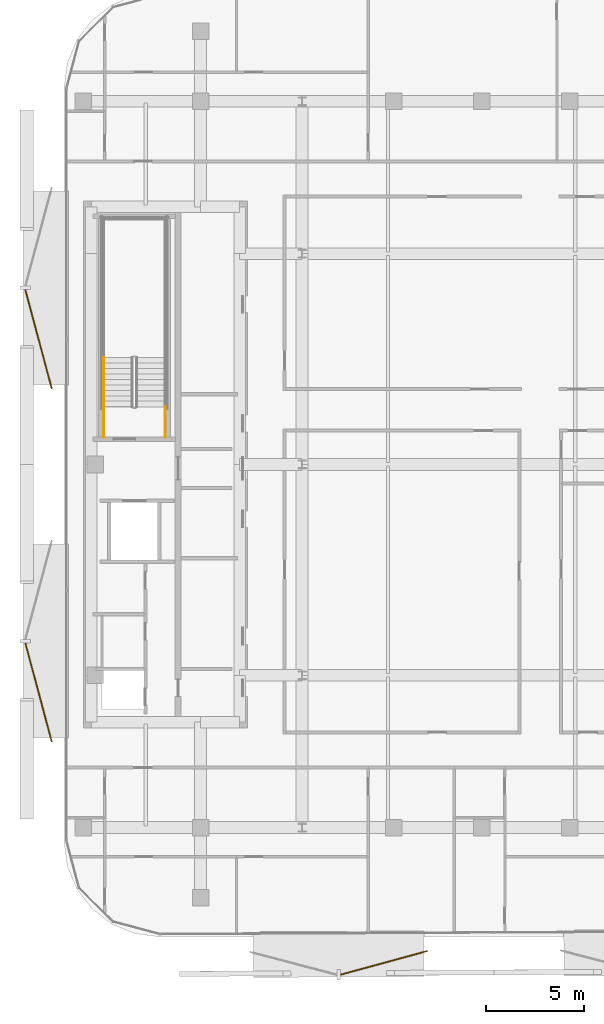
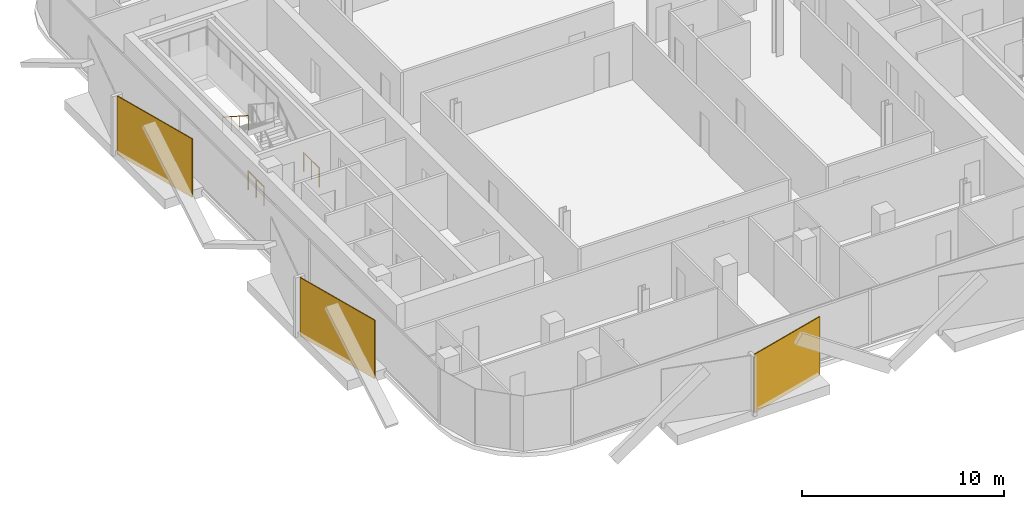
# One storey, part 12 of 15: 3 coverings, 3 railings.
"""IFC4 building model written with IfcOpenShell, lengths in metres."""

import ifcopenshell
import ifcopenshell.guid

model = None  # the IFC model being written
_history = None  # IfcOwnerHistory: only IFC2X3 demands one
_inside = {}  # id of a spatial element -> (the spatial element, [elements in it])
_under = {}  # id of a project, library or spatial element -> (it, [spatial elements below it])
_declared = {}  # id of a project -> (the project, [libraries it declares])
_typed = {}  # id of a type object -> (the type object, [elements of that type])
_made_of = {}  # id of a material, layer set ... -> (it, [elements and type objects made of it])


def new_model(schema):
    """Start an empty IFC model of exactly this schema.

    Asked for "IFC4X3", IfcOpenShell would pick the latest addendum, in which some entities
    have other attributes; the version numbers below select the first issue.
    IFC2X3 requires an IfcOwnerHistory on every rooted entity: one is made here for all.
    """
    global model, _history
    if schema == "IFC4X3":
        model = ifcopenshell.file(schema_version=(4, 3, 0, 0))
    else:
        model = ifcopenshell.file(schema=schema)
    _inside.clear()
    _under.clear()
    _declared.clear()
    _typed.clear()
    _made_of.clear()
    _history = None
    if model.schema == "IFC2X3":
        org = make("IfcOrganization", Name="unknown")
        user = make(
            "IfcPersonAndOrganization",
            ThePerson=make("IfcPerson", FamilyName="unknown"),
            TheOrganization=org,
        )
        app = make(
            "IfcApplication",
            ApplicationDeveloper=org,
            Version="unknown",
            ApplicationFullName="unknown",
            ApplicationIdentifier="unknown",
        )
        _history = make(
            "IfcOwnerHistory",
            OwningUser=user,
            OwningApplication=app,
            ChangeAction="ADDED",
            CreationDate=0,
        )
    return model


def make(cls, **values):
    """One entity of the class cls with the attributes given. An attribute that is None is left unset."""
    return model.create_entity(
        cls, **{name: value for name, value in values.items() if value is not None}
    )


def rooted(cls, **values):
    """An entity with a GlobalId (a new one), such as an element, a storey or a relation."""
    return make(cls, GlobalId=ifcopenshell.guid.new(), OwnerHistory=_history, **values)


def si_unit(unit_type, name, prefix=None):
    """IfcSIUnit, for example si_unit("LENGTHUNIT", "METRE", prefix="MILLI")."""
    return make("IfcSIUnit", UnitType=unit_type, Prefix=prefix, Name=name)


def assignment(units):
    """IfcUnitAssignment: the units of a project."""
    return None if units is None else make("IfcUnitAssignment", Units=units)


def point(xyz):
    """IfcCartesianPoint."""
    return None if xyz is None else make("IfcCartesianPoint", Coordinates=xyz)


def direction(xyz):
    """IfcDirection."""
    return None if xyz is None else make("IfcDirection", DirectionRatios=xyz)


def frame(location, z_axis=None, x_axis=None):
    """IfcAxis2Placement3D, a coordinate frame: its origin and axes. An axis left out is left unset."""
    return make(
        "IfcAxis2Placement3D",
        Location=point(location),
        Axis=direction(z_axis),
        RefDirection=direction(x_axis),
    )


def frame_2d(location, x_axis=None):
    """IfcAxis2Placement2D, a coordinate frame in the plane: its origin and x axis."""
    return make(
        "IfcAxis2Placement2D", Location=point(location), RefDirection=direction(x_axis)
    )


def origin():
    """The frame at (0, 0, 0) with its axes left unset."""
    return frame((0.0, 0.0, 0.0))


def origin_2d():
    """The frame at (0, 0) in the plane with its x axis left unset."""
    return frame_2d((0.0, 0.0))


def place(relative_to, where):
    """IfcLocalPlacement: puts the frame where relative to a parent placement (None: the world)."""
    return make(
        "IfcLocalPlacement", PlacementRelTo=relative_to, RelativePlacement=where
    )


def context(
    kind, dimensions, precision=None, world=None, true_north=None, identifier=None
):
    """IfcGeometricRepresentationContext, for example the 3D "Model" context."""
    return make(
        "IfcGeometricRepresentationContext",
        ContextIdentifier=identifier,
        ContextType=kind,
        CoordinateSpaceDimension=dimensions,
        Precision=precision,
        WorldCoordinateSystem=world,
        TrueNorth=true_north,
    )


def subcontext(parent, identifier, kind, view, scale=None):
    """IfcGeometricRepresentationSubContext, for example "Body" below "Model"."""
    return make(
        "IfcGeometricRepresentationSubContext",
        ContextIdentifier=identifier,
        ContextType=kind,
        ParentContext=parent,
        TargetScale=scale,
        TargetView=view,
    )


def project(units=None, contexts=None):
    """IfcProject with its units and contexts."""
    return rooted(
        "IfcProject",
        Name="project",
        RepresentationContexts=contexts,
        UnitsInContext=assignment(units),
    )


def spatial(cls, under=None, at=None, **own):
    """A site, building, storey or space (cls), placed at a placement, below another one or the project."""
    s = rooted(cls, ObjectPlacement=at, **own)
    if under is not None:
        _under.setdefault(under.id(), (under, []))[1].append(s)
    return s


def profile(cls, at=None, kind="AREA", **sizes):
    """A parametric profile (cls). Its sizes go by their IFC names, for example OverallWidth=200.0."""
    return make(cls, ProfileType=kind, Position=at, **sizes)


def rectangle(**sizes):
    """IfcRectangleProfileDef."""
    return profile("IfcRectangleProfileDef", **sizes)


def circle(**sizes):
    """IfcCircleProfileDef."""
    return profile("IfcCircleProfileDef", **sizes)


def extrude(swept, where, along, depth):
    """IfcExtrudedAreaSolid: the profile swept, set in the frame where, extruded along a direction by depth."""
    return make(
        "IfcExtrudedAreaSolid",
        SweptArea=swept,
        Position=where,
        ExtrudedDirection=direction(along),
        Depth=depth,
    )


def shape(context_of_items, identifier, shape_type, items):
    """IfcShapeRepresentation: the items that make up one representation, for example the "Body"."""
    return make(
        "IfcShapeRepresentation",
        ContextOfItems=context_of_items,
        RepresentationIdentifier=identifier,
        RepresentationType=shape_type,
        Items=items,
    )


def material(Name=None, Category=None):
    """IfcMaterial."""
    return make("IfcMaterial", Name=Name, Category=Category)


def layer(
    of_material, thickness, ventilated=None, Name=None, Category=None, Priority=None
):
    """IfcMaterialLayer: one layer of a wall or slab, of a material (None: an air gap)."""
    return make(
        "IfcMaterialLayer",
        Material=of_material,
        LayerThickness=thickness,
        IsVentilated=ventilated,
        Name=Name,
        Category=Category,
        Priority=Priority,
    )


def layer_set(layers, Name=None):
    """IfcMaterialLayerSet."""
    return make("IfcMaterialLayerSet", MaterialLayers=layers, LayerSetName=Name)


def made_of(thing, what):
    """Note that an element or type object is made of a material, layer set ...; save() writes the relation."""
    if what is not None:
        _made_of.setdefault(what.id(), (what, []))[1].append(thing)
    return thing


def type_object(cls, material=None, **own):
    """A type object (cls), such as IfcWallType, which elements share."""
    return made_of(rooted(cls, **own), material)


def element(
    cls,
    number,
    at=None,
    inside=None,
    cuts=None,
    type_object=None,
    material=None,
    context=None,
    identifier="Body",
    shape_type=None,
    held_by="IfcProductDefinitionShape",
    body=None,
    shapes=None,
    **own,
):
    """One element of the class cls, such as IfcWall. Its Tag is "e" and its number.

    at: its placement. inside: the storey or other place that contains it. cuts: it is an
    opening in that element (IfcRelVoidsElement). A single representation is given by context,
    identifier, shape_type and body (its items); several are given by shapes. held_by: the class
    of the entity that holds the representations. save() writes the other relations.
    """
    e = rooted(cls, Tag="e%d" % number, ObjectPlacement=at, **own)
    if body is not None:
        shapes = [shape(context, identifier, shape_type, body)]
    if shapes is not None:
        e.Representation = make(held_by, Representations=shapes)
    if inside is not None:
        _inside.setdefault(inside.id(), (inside, []))[1].append(e)
    if cuts is not None:
        rooted(
            "IfcRelVoidsElement", RelatingBuildingElement=cuts, RelatedOpeningElement=e
        )
    if type_object is not None:
        _typed.setdefault(type_object.id(), (type_object, []))[1].append(e)
    return made_of(e, material)


def aggregate(whole, parts):
    """IfcRelAggregates: a whole, such as a stair, and the parts it consists of."""
    return rooted("IfcRelAggregates", RelatingObject=whole, RelatedObjects=parts)


def save(model, path):
    """Write the relations noted so far, then the file.

    IfcRelAggregates (storeys below a building ...), IfcRelContainedInSpatialStructure (elements
    in a storey), IfcRelDefinesByType, IfcRelAssociatesMaterial and IfcRelDeclares: one each for
    every whole, place, type object, material and project.
    """
    for whole, parts in _under.values():
        aggregate(whole, parts)
    for where, things in _inside.values():
        rooted(
            "IfcRelContainedInSpatialStructure",
            RelatedElements=things,
            RelatingStructure=where,
        )
    for kind, things in _typed.values():
        rooted("IfcRelDefinesByType", RelatedObjects=things, RelatingType=kind)
    for what, things in _made_of.values():
        rooted("IfcRelAssociatesMaterial", RelatedObjects=things, RelatingMaterial=what)
    for by, libraries in _declared.values():
        rooted("IfcRelDeclares", RelatingContext=by, RelatedDefinitions=libraries)
    model.write(path)


model = new_model("IFC4")

# Units and contexts
model_context = context("Model", 3, precision=1e-05, world=origin(), true_north=direction((0.0, 1.0)))
body_context = subcontext(model_context, "Body", "Model", "MODEL_VIEW")
ifc_project = project(units=[si_unit("LENGTHUNIT", "METRE"), si_unit("AREAUNIT", "SQUARE_METRE"), si_unit("VOLUMEUNIT", "CUBIC_METRE"), si_unit("PLANEANGLEUNIT", "RADIAN"), si_unit("MASSUNIT", "GRAM", prefix="KILO")], contexts=[model_context])

# Site, building, storey
site_placement = place(None, origin())
site = spatial("IfcSite", under=ifc_project, at=site_placement, CompositionType="ELEMENT")
building_placement = place(site_placement, origin())
building = spatial("IfcBuilding", under=site, at=building_placement, Name="Khairoan Windgate Tower", CompositionType="ELEMENT")
storey_placement = place(building_placement, frame((0.0, 0.0, 265.60009765625)))
storey = spatial("IfcBuildingStorey", under=building, at=storey_placement, Name="L63", CompositionType="ELEMENT", Elevation=265.60009765625)

# Coverings
ifc_material_1 = material(Name="Anodised Bronze Aluminium 6063-T6", Category="aluminium")
ifc_layer = layer(ifc_material_1, 0.054931640625, Name="Anodised Bronze Aluminium 6063-T6")
ifc_layer_set = layer_set([ifc_layer], Name="Anodised Bronze Aluminium 6063-T6")
covering_type = type_object("IfcCoveringType", Name="Perforated Bronze-Ceramic Folded Solar Screen Cladding BSC-1", PredefinedType="CLADDING", material=ifc_layer_set)
covering_placement = place(storey_placement, frame((-5.009521484375, -25.528076171875, -0.10009765625), z_axis=(0.0, 0.0, 1.0), x_axis=(-0.964695449838, -0.263367972734, 0.0)))
element("IfcCovering", 1, at=covering_placement, inside=storey, type_object=covering_type, Name="L63 Folded Bronze Solar Screen Facet 434L", PredefinedType="CLADDING", context=body_context, shape_type="SweptSolid", body=[
    extrude(rectangle(XDim=4.614013671875, YDim=0.054931640625, at=origin_2d()), origin(), (0.0, 0.0, 1.0), 3.5400390625),
])
for number, where, z_axis, x_axis, name in (
    (2, (-22.701171875, -11.6689453125, -0.10009765625), (0.0, 0.0, 1.0), (-0.258819045103, 0.965925826289, 0.0), "L63 Folded Bronze Solar Screen Facet 435L"),
    (3, (-22.701171875, 6.421875, -0.10009765625), (0.0, 0.0, 1.0), (-0.258819045103, 0.965925826289, 0.0), "L63 Folded Bronze Solar Screen Facet 436L"),
):
    element("IfcCovering", number, at=place(storey_placement, frame(where, z_axis=z_axis, x_axis=x_axis)), inside=storey, type_object=covering_type, Name=name, PredefinedType="CLADDING", context=body_context, shape_type="SweptSolid", body=[
        extrude(rectangle(XDim=5.24609375, YDim=0.054931640625, at=origin_2d()), origin(), (0.0, 0.0, 1.0), 3.5400390625),
    ])

# Railings
ifc_material_2 = material(Name="Anodised Bronze Aluminium 6063-T6", Category="aluminium")
railing_type_1 = type_object("IfcRailingType", Name="Stair Wall Handrail SHR-900", PredefinedType="HANDRAIL", material=ifc_material_2)
railing_placement = place(storey_placement, frame((-19.3701171875, 5.47998046875, 1.97998046875)))
element("IfcRailing", 4, at=railing_placement, inside=storey, type_object=railing_type_1, Name="L63 ST2 stair handrail 2", PredefinedType="HANDRAIL", context=body_context, shape_type="SweptSolid", body=[
    extrude(circle(Radius=0.02392578125, at=origin_2d()), frame((0.0, 0.0, 0.8759765625), z_axis=(0.0, -0.841199657755, 0.540724639528), x_axis=(1.0, 0.0, 0.0)), (0.0, 0.0, 1.0), 2.995849609375),
    extrude(circle(Radius=0.02099609375, at=origin_2d()), origin(), (0.0, 0.0, 1.0), 0.851806640625),
    extrude(circle(Radius=0.02099609375, at=origin_2d()), frame((0.0, -0.840087890625, 0.5400390625)), (0.0, 0.0, 1.0), 0.851806640625),
    extrude(circle(Radius=0.02099609375, at=origin_2d()), frame((0.0, -1.679931640625, 1.079833984375)), (0.0, 0.0, 1.0), 0.851806640625),
    extrude(circle(Radius=0.02099609375, at=origin_2d()), frame((0.0, -2.52001953125, 1.619873046875)), (0.0, 0.0, 1.0), 0.851806640625),
])
ifc_material_3 = material(Name="Steel S355", Category="steel")
railing_type_2 = type_object("IfcRailingType", Name="Stairwell Safety Guardrail SGR-1150", PredefinedType="GUARDRAIL", material=ifc_material_3)
for number, where, name in (
    (5, (-16.199951171875, 1.39990234375, 0.0), "L63 ST2 stair guard 8"),
    (6, (-19.3701171875, 1.39990234375, 0.0), "L63 ST2 stair guard 9"),
):
    element("IfcRailing", number, at=place(storey_placement, frame(where)), inside=storey, type_object=railing_type_2, Name=name, PredefinedType="GUARDRAIL", context=body_context, shape_type="SweptSolid", body=[
        extrude(circle(Radius=0.02392578125, at=origin_2d()), frame((0.0, 0.0, 1.1259765625), z_axis=(0.0, 1.0, 0.0), x_axis=(-1.0, 0.0, 0.0)), (0.0, 0.0, 1.0), 1.56005859375),
        extrude(circle(Radius=0.02099609375, at=origin_2d()), origin(), (0.0, 0.0, 1.0), 1.101806640625),
        extrude(circle(Radius=0.02099609375, at=origin_2d()), frame((0.0, 0.780029296875, 0.0)), (0.0, 0.0, 1.0), 1.101806640625),
        extrude(circle(Radius=0.02099609375, at=origin_2d()), frame((0.0, 1.56005859375, 0.0)), (0.0, 0.0, 1.0), 1.101806640625),
    ])

save(model, "model.ifc")
